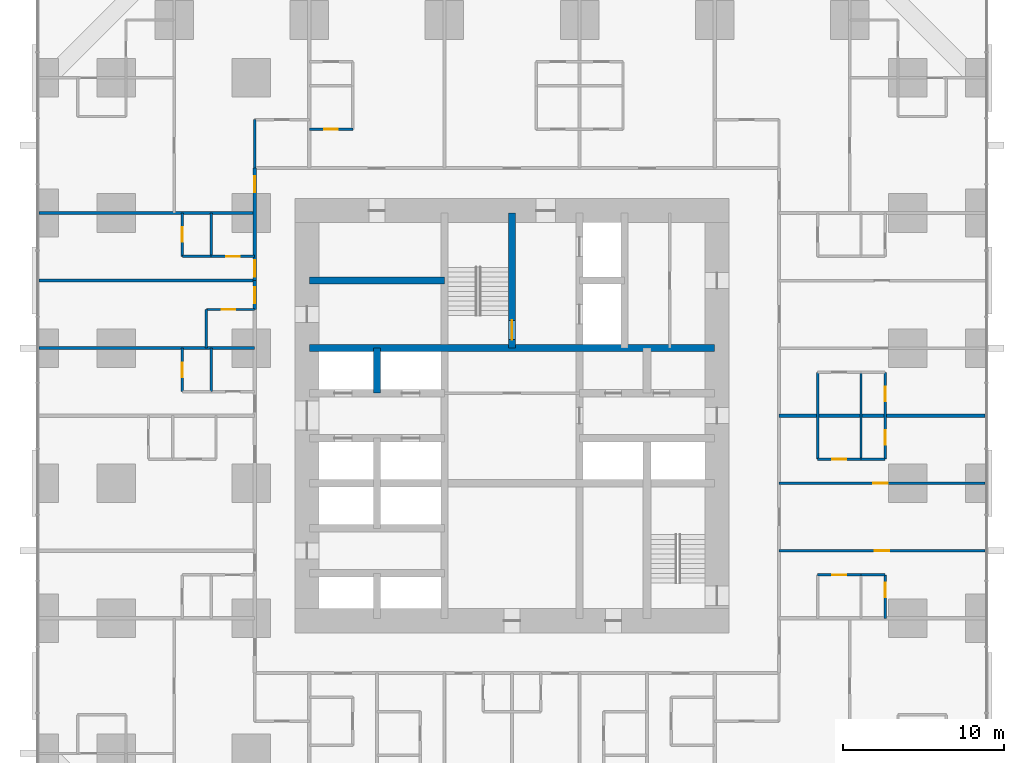
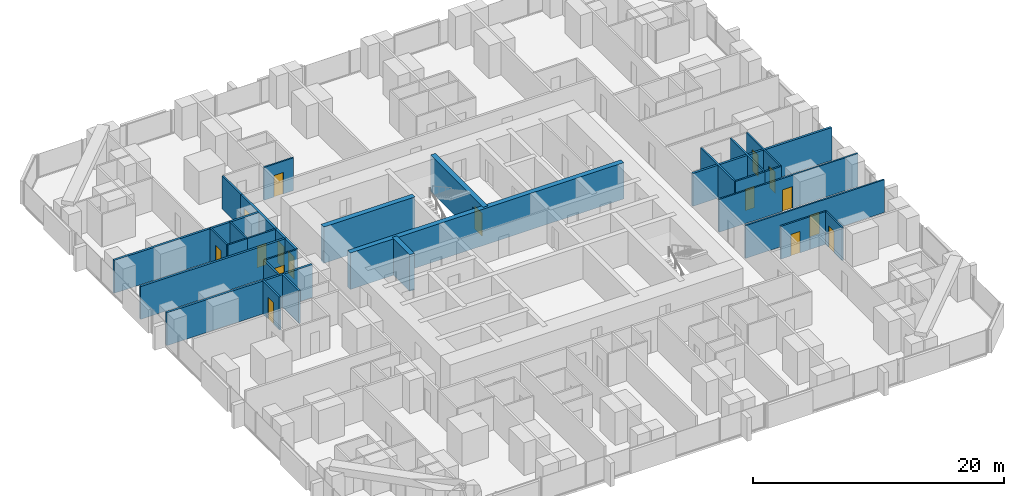
# One storey, part 13 of 16: 30 walls, 16 doors, 16 openings.
"""IFC4 building model written with IfcOpenShell, lengths in metres."""

from ifc_helpers import new_model, si_unit, direction, frame, frame_2d, origin, place, context, subcontext, project, spatial, rectangle, extrude, material, layer, layer_set, type_object, element, fill, save


model = new_model("IFC4")

# Units and contexts
model_context = context("Model", 3, precision=1e-05, world=origin(), true_north=direction((0.0, 1.0)))
body_context = subcontext(model_context, "Body", "Model", "MODEL_VIEW")
ifc_project = project(units=[si_unit("LENGTHUNIT", "METRE"), si_unit("AREAUNIT", "SQUARE_METRE"), si_unit("VOLUMEUNIT", "CUBIC_METRE"), si_unit("PLANEANGLEUNIT", "RADIAN"), si_unit("MASSUNIT", "GRAM", prefix="KILO")], contexts=[model_context])

# Site, building, storey
site_placement = place(None, origin())
site = spatial("IfcSite", under=ifc_project, at=site_placement, CompositionType="ELEMENT")
building_placement = place(site_placement, origin())
building = spatial("IfcBuilding", under=site, at=building_placement, Name="Dunama Terrace Hotel", CompositionType="ELEMENT")
storey_placement = place(building_placement, frame((0.0, 0.0, 84.60009765625)))
storey = spatial("IfcBuildingStorey", under=building, at=storey_placement, Name="L21", CompositionType="ELEMENT", Elevation=84.60009765625)

# Walls
ifc_material_1 = material(Name="Gypsum board partition", Category="masonry")
ifc_layer_1 = layer(ifc_material_1, 0.14990234375)
ifc_layer_set_1 = layer_set([ifc_layer_1], Name="Bathroom partition 150")
wall_type_1 = type_object("IfcWallType", Name="Bathroom partition 150", PredefinedType="PARTITIONING", material=ifc_layer_set_1)
wall_1_placement = place(storey_placement, frame((10.39990234375, 33.60009765625, 0.0), z_axis=(0.0, 0.0, 1.0), x_axis=(0.0, 1.0, 0.0)))
element("IfcWall", 1, at=wall_1_placement, inside=storey, type_object=wall_type_1, Name="Bathroom partition 150 L21", PredefinedType="PARTITIONING", context=body_context, shape_type="SweptSolid", body=[
    extrude(rectangle(XDim=2.39990234375, YDim=0.14990234375, at=frame_2d((1.199951171875, 0.0))), origin(), (0.0, 0.0, 1.0), 3.199951171875),
])
wall_2_placement = place(storey_placement, frame((13.39990234375, 44.800048828125, 0.0), z_axis=(0.0, 0.0, 1.0), x_axis=(0.0, 1.0, 0.0)))
element("IfcWall", 2, at=wall_2_placement, inside=storey, type_object=wall_type_1, Name="Bathroom partition 150 L21", PredefinedType="PARTITIONING", context=body_context, shape_type="SweptSolid", body=[
    extrude(rectangle(XDim=3.0, YDim=0.14990234375, at=frame_2d((1.5, 0.0))), origin(), (0.0, 0.0, 1.0), 3.199951171875),
])
wall_3_placement = place(storey_placement, frame((48.39990234375, 26.699951171875, 0.0), z_axis=(0.0, 0.0, 1.0), x_axis=(0.0, 1.0, 0.0)))
element("IfcWall", 3, at=wall_3_placement, inside=storey, type_object=wall_type_1, Name="Bathroom partition 150 L21", PredefinedType="PARTITIONING", context=body_context, shape_type="SweptSolid", body=[
    extrude(rectangle(XDim=5.400146484375, YDim=0.14990234375, at=frame_2d((2.7001953125, 0.0))), origin(), (0.0, 0.0, 1.0), 3.199951171875),
])

# Wall, opening, door
wall_4_placement = place(storey_placement, frame((48.39990234375, 19.5, 0.0), z_axis=(0.0, 0.0, 1.0), x_axis=(1.0, 0.0, 0.0)))
wall_4 = element("IfcWall", 4, at=wall_4_placement, inside=storey, type_object=wall_type_1, Name="Bathroom partition 150 L21", PredefinedType="PARTITIONING", context=body_context, shape_type="SweptSolid", body=[
    extrude(rectangle(XDim=2.7001953125, YDim=0.14990234375, at=frame_2d((1.35009765625, 0.0))), origin(), (0.0, 0.0, 1.0), 3.199951171875),
])
opening_1_placement = place(wall_4_placement, frame((0.925048828125, 0.0, 0.0)))
opening_1 = element("IfcOpeningElement", 5, at=opening_1_placement, cuts=wall_4, Name="Opening L21-025", PredefinedType="OPENING", context=body_context, shape_type="SweptSolid", body=[
    extrude(rectangle(XDim=0.85009765625, YDim=2.10009765625, at=frame_2d((0.425048828125, 1.050048828125))), frame((0.0, 0.0849609375, 0.0), z_axis=(0.0, -1.0, 0.0), x_axis=(1.0, 0.0, 0.0)), (0.0, 0.0, 1.0), 0.169921875),
])
ifc_material_2 = material(Name="Timber door with steel frame", Category="steel")
door_type_1 = type_object("IfcDoorType", Name="Bathroom door 850", OperationType="SINGLE_SWING_LEFT", PredefinedType="DOOR", material=ifc_material_2)
door_1_placement = place(opening_1_placement, frame((0.85009765625, 0.0, 0.0), z_axis=(0.0, 0.0, 1.0), x_axis=(-1.0, 0.0, 0.0)))
door_1 = element("IfcDoor", 6, at=door_1_placement, inside=storey, type_object=door_type_1, Name="Door to en-suite bathroom L21-025, type D2", OperationType="SINGLE_SWING_RIGHT", OverallHeight=2.10009765625, OverallWidth=0.85009765625, PredefinedType="DOOR", context=body_context, shape_type="SweptSolid", body=[
    extrude(rectangle(XDim=0.85009765625, YDim=2.10009765625, at=frame_2d((0.425048828125, 1.050048828125))), frame((0.0, 0.025146484375, 0.0), z_axis=(0.0, -1.0, 0.0), x_axis=(1.0, 0.0, 0.0)), (0.0, 0.0, 1.0), 0.050048828125),
])
fill(opening_1, door_1)

wall_5_placement = place(storey_placement, frame((48.39990234375, 26.699951171875, 0.0), z_axis=(0.0, 0.0, 1.0), x_axis=(1.0, 0.0, 0.0)))
wall_5 = element("IfcWall", 7, at=wall_5_placement, inside=storey, type_object=wall_type_1, Name="Bathroom partition 150 L21", PredefinedType="PARTITIONING", context=body_context, shape_type="SweptSolid", body=[
    extrude(rectangle(XDim=2.7001953125, YDim=0.14990234375, at=frame_2d((1.35009765625, 0.0))), origin(), (0.0, 0.0, 1.0), 3.199951171875),
])
opening_2_placement = place(wall_5_placement, frame((0.925048828125, 0.0, 0.0)))
opening_2 = element("IfcOpeningElement", 8, at=opening_2_placement, cuts=wall_5, Name="Opening L21-028", PredefinedType="OPENING", context=body_context, shape_type="SweptSolid", body=[
    extrude(rectangle(XDim=0.85009765625, YDim=2.10009765625, at=frame_2d((0.425048828125, 1.050048828125))), frame((0.0, 0.0849609375, 0.0), z_axis=(0.0, -1.0, 0.0), x_axis=(1.0, 0.0, 0.0)), (0.0, 0.0, 1.0), 0.169921875),
])
door_2_placement = place(opening_2_placement, origin())
door_2 = element("IfcDoor", 9, at=door_2_placement, inside=storey, type_object=door_type_1, Name="Door to en-suite bathroom L21-028, type D2", OperationType="SINGLE_SWING_LEFT", OverallHeight=2.10009765625, OverallWidth=0.85009765625, PredefinedType="DOOR", context=body_context, shape_type="SweptSolid", body=[
    extrude(rectangle(XDim=0.85009765625, YDim=2.10009765625, at=frame_2d((0.425048828125, 1.050048828125))), frame((0.0, 0.02490234375, 0.0), z_axis=(0.0, -1.0, 0.0), x_axis=(1.0, 0.0, 0.0)), (0.0, 0.0, 1.0), 0.050048828125),
])
fill(opening_2, door_2)

wall_6_placement = place(storey_placement, frame((10.39990234375, 36.0, 0.0), z_axis=(0.0, 0.0, 1.0), x_axis=(1.0, 0.0, 0.0)))
wall_6 = element("IfcWall", 10, at=wall_6_placement, inside=storey, type_object=wall_type_1, Name="Bathroom partition 150 L21", PredefinedType="PARTITIONING", context=body_context, shape_type="SweptSolid", body=[
    extrude(rectangle(XDim=3.0, YDim=0.14990234375, at=frame_2d((1.5, 0.0))), origin(), (0.0, 0.0, 1.0), 3.199951171875),
])
opening_3_placement = place(wall_6_placement, frame((0.949951171875, 0.0, 0.0)))
opening_3 = element("IfcOpeningElement", 11, at=opening_3_placement, cuts=wall_6, Name="Opening L21-056", PredefinedType="OPENING", context=body_context, shape_type="SweptSolid", body=[
    extrude(rectangle(XDim=0.85009765625, YDim=2.10009765625, at=frame_2d((0.425048828125, 1.050048828125))), frame((0.0, 0.0849609375, 0.0), z_axis=(0.0, -1.0, 0.0), x_axis=(1.0, 0.0, 0.0)), (0.0, 0.0, 1.0), 0.169921875),
])
door_3_placement = place(opening_3_placement, frame((0.85009765625, 0.0, 0.0), z_axis=(0.0, 0.0, 1.0), x_axis=(-1.0, 0.0, 0.0)))
door_3 = element("IfcDoor", 12, at=door_3_placement, inside=storey, type_object=door_type_1, Name="Door to ablution room L21-056, type D2", OperationType="SINGLE_SWING_LEFT", OverallHeight=2.10009765625, OverallWidth=0.85009765625, PredefinedType="DOOR", context=body_context, shape_type="SweptSolid", body=[
    extrude(rectangle(XDim=0.85009765625, YDim=2.10009765625, at=frame_2d((0.425048828125, 1.050048828125))), frame((0.0, 0.025146484375, 0.0), z_axis=(0.0, -1.0, 0.0), x_axis=(1.0, 0.0, 0.0)), (0.0, 0.0, 1.0), 0.050048828125),
])
fill(opening_3, door_3)

wall_7_placement = place(storey_placement, frame((10.699951171875, 39.300048828125, 0.0), z_axis=(0.0, 0.0, 1.0), x_axis=(1.0, 0.0, 0.0)))
wall_7 = element("IfcWall", 13, at=wall_7_placement, inside=storey, type_object=wall_type_1, Name="Bathroom partition 150 L21", PredefinedType="PARTITIONING", context=body_context, shape_type="SweptSolid", body=[
    extrude(rectangle(XDim=2.699951171875, YDim=0.14990234375, at=frame_2d((1.35009765625, 0.0))), origin(), (0.0, 0.0, 1.0), 3.199951171875),
])
opening_4_placement = place(wall_7_placement, frame((0.925048828125, 0.0, 0.0)))
opening_4 = element("IfcOpeningElement", 14, at=opening_4_placement, cuts=wall_7, Name="Opening L21-058", PredefinedType="OPENING", context=body_context, shape_type="SweptSolid", body=[
    extrude(rectangle(XDim=0.85009765625, YDim=2.10009765625, at=frame_2d((0.425048828125, 1.050048828125))), frame((0.0, 0.0849609375, 0.0), z_axis=(0.0, -1.0, 0.0), x_axis=(1.0, 0.0, 0.0)), (0.0, 0.0, 1.0), 0.169921875),
])
door_4_placement = place(opening_4_placement, origin())
door_4 = element("IfcDoor", 15, at=door_4_placement, inside=storey, type_object=door_type_1, Name="Door to en-suite bathroom L21-058, type D2", OperationType="SINGLE_SWING_RIGHT", OverallHeight=2.10009765625, OverallWidth=0.85009765625, PredefinedType="DOOR", context=body_context, shape_type="SweptSolid", body=[
    extrude(rectangle(XDim=0.85009765625, YDim=2.10009765625, at=frame_2d((0.425048828125, 1.050048828125))), frame((0.0, 0.02490234375, 0.0), z_axis=(0.0, -1.0, 0.0), x_axis=(1.0, 0.0, 0.0)), (0.0, 0.0, 1.0), 0.050048828125),
])
fill(opening_4, door_4)

wall_8_placement = place(storey_placement, frame((16.800048828125, 47.199951171875, 0.0), z_axis=(0.0, 0.0, 1.0), x_axis=(1.0, 0.0, 0.0)))
wall_8 = element("IfcWall", 16, at=wall_8_placement, inside=storey, type_object=wall_type_1, Name="Bathroom partition 150 L21", PredefinedType="PARTITIONING", context=body_context, shape_type="SweptSolid", body=[
    extrude(rectangle(XDim=2.699951171875, YDim=0.14990234375, at=frame_2d((1.35009765625, 0.0))), origin(), (0.0, 0.0, 1.0), 3.199951171875),
])
opening_5_placement = place(wall_8_placement, frame((0.925048828125, 0.0, 0.0)))
opening_5 = element("IfcOpeningElement", 17, at=opening_5_placement, cuts=wall_8, Name="Opening L21-038", PredefinedType="OPENING", context=body_context, shape_type="SweptSolid", body=[
    extrude(rectangle(XDim=0.85009765625, YDim=2.10009765625, at=frame_2d((0.425048828125, 1.050048828125))), frame((0.0, 0.0849609375, 0.0), z_axis=(0.0, -1.0, 0.0), x_axis=(1.0, 0.0, 0.0)), (0.0, 0.0, 1.0), 0.169921875),
])
door_5_placement = place(opening_5_placement, origin())
door_5 = element("IfcDoor", 18, at=door_5_placement, inside=storey, type_object=door_type_1, Name="Door to en-suite bathroom L21-038, type D2", OperationType="SINGLE_SWING_LEFT", OverallHeight=2.10009765625, OverallWidth=0.85009765625, PredefinedType="DOOR", context=body_context, shape_type="SweptSolid", body=[
    extrude(rectangle(XDim=0.85009765625, YDim=2.10009765625, at=frame_2d((0.425048828125, 1.050048828125))), frame((0.0, 0.02490234375, 0.0), z_axis=(0.0, -1.0, 0.0), x_axis=(1.0, 0.0, 0.0)), (0.0, 0.0, 1.0), 0.050048828125),
])
fill(opening_5, door_5)

# Wall
ifc_material_3 = material(Name="Concrete C50/60", Category="concrete")
ifc_layer_2 = layer(ifc_material_3, 0.449951171875)
ifc_layer_set_2 = layer_set([ifc_layer_2], Name="Core inner wall 450")
wall_type_2 = type_object("IfcWallType", Name="Core inner wall 450", PredefinedType="SHEAR", material=ifc_layer_set_2)
wall_9_placement = place(storey_placement, frame((21.0, 30.800048828125, -0.35009765625), z_axis=(0.0, 0.0, 1.0), x_axis=(0.0, 1.0, 0.0)))
element("IfcWall", 19, at=wall_9_placement, inside=storey, type_object=wall_type_2, Name="Core inner wall 450 L21", PredefinedType="SHEAR", context=body_context, shape_type="SweptSolid", body=[
    extrude(rectangle(XDim=2.800048828125, YDim=0.449951171875, at=frame_2d((1.39990234375, 0.0))), origin(), (0.0, 0.0, 1.0), 3.550048828125),
])

# Wall, opening, door
wall_10_placement = place(storey_placement, frame((29.39990234375, 33.60009765625, -0.35009765625), z_axis=(0.0, 0.0, 1.0), x_axis=(0.0, 1.0, 0.0)))
wall_10 = element("IfcWall", 20, at=wall_10_placement, inside=storey, type_object=wall_type_2, Name="Core inner wall 450 L21", PredefinedType="SHEAR", context=body_context, shape_type="SweptSolid", body=[
    extrude(rectangle(XDim=8.39990234375, YDim=0.449951171875, at=frame_2d((4.199951171875, 0.0))), origin(), (0.0, 0.0, 1.0), 3.550048828125),
])
opening_6_placement = place(wall_10_placement, frame((0.52490234375, 0.0, 0.35009765625)))
opening_6 = element("IfcOpeningElement", 21, at=opening_6_placement, cuts=wall_10, Name="Opening L21-001", PredefinedType="OPENING", context=body_context, shape_type="SweptSolid", body=[
    extrude(rectangle(XDim=1.199951171875, YDim=2.199951171875, at=frame_2d((0.60009765625, 1.10009765625))), frame((0.0, 0.23486328125, 0.0), z_axis=(0.0, -1.0, 0.0), x_axis=(1.0, 0.0, 0.0)), (0.0, 0.0, 1.0), 0.469970703125),
])
ifc_material_4 = material(Name="Timber door with steel frame", Category="steel")
door_type_2 = type_object("IfcDoorType", Name="Stair door 1200", OperationType="SINGLE_SWING_LEFT", PredefinedType="DOOR", material=ifc_material_4)
door_6_placement = place(opening_6_placement, origin())
door_6 = element("IfcDoor", 22, at=door_6_placement, inside=storey, type_object=door_type_2, Name="Stair door ST1 L21-001, type D5", OperationType="SINGLE_SWING_LEFT", OverallHeight=2.199951171875, OverallWidth=1.199951171875, PredefinedType="DOOR", context=body_context, shape_type="SweptSolid", body=[
    extrude(rectangle(XDim=1.199951171875, YDim=2.199951171875, at=frame_2d((0.60009765625, 1.10009765625))), frame((0.0, 0.02490234375, 0.0), z_axis=(0.0, -1.0, 0.0), x_axis=(1.0, 0.0, 0.0)), (0.0, 0.0, 1.0), 0.050048828125),
])
fill(opening_6, door_6)

# Walls
wall_11_placement = place(storey_placement, frame((16.800048828125, 33.60009765625, -0.35009765625), z_axis=(0.0, 0.0, 1.0), x_axis=(1.0, 0.0, 0.0)))
element("IfcWall", 23, at=wall_11_placement, inside=storey, type_object=wall_type_2, Name="Core inner wall 450 L21", PredefinedType="SHEAR", context=body_context, shape_type="SweptSolid", body=[
    extrude(rectangle(XDim=25.199951171875, YDim=0.449951171875, at=frame_2d((12.60009765625, 0.0))), origin(), (0.0, 0.0, 1.0), 3.550048828125),
])
wall_12_placement = place(storey_placement, frame((16.800048828125, 37.800048828125, -0.35009765625), z_axis=(0.0, 0.0, 1.0), x_axis=(1.0, 0.0, 0.0)))
element("IfcWall", 24, at=wall_12_placement, inside=storey, type_object=wall_type_2, Name="Core inner wall 450 L21", PredefinedType="SHEAR", context=body_context, shape_type="SweptSolid", body=[
    extrude(rectangle(XDim=8.39990234375, YDim=0.449951171875, at=frame_2d((4.199951171875, 0.0))), origin(), (0.0, 0.0, 1.0), 3.550048828125),
])

# Wall, openings, doors
ifc_material_5 = material(Name="Concrete blockwork", Category="masonry")
ifc_layer_3 = layer(ifc_material_5, 0.199951171875)
ifc_layer_set_3 = layer_set([ifc_layer_3], Name="Corridor partition 200")
wall_type_3 = type_object("IfcWallType", Name="Corridor partition 200", PredefinedType="PARTITIONING", material=ifc_layer_set_3)
wall_13_placement = place(storey_placement, frame((13.39990234375, 37.800048828125, 0.0), z_axis=(0.0, 0.0, 1.0), x_axis=(0.0, 1.0, 0.0)))
wall_13 = element("IfcWall", 25, at=wall_13_placement, inside=storey, type_object=wall_type_3, Name="Corridor partition 200 L21", PredefinedType="PARTITIONING", context=body_context, shape_type="SweptSolid", body=[
    extrude(rectangle(XDim=7.0, YDim=0.199951171875, at=frame_2d((3.5, 0.0))), origin(), (0.0, 0.0, 1.0), 3.199951171875),
])
opening_7_placement = place(wall_13_placement, frame((0.25, 0.0, 0.0)))
opening_7 = element("IfcOpeningElement", 26, at=opening_7_placement, cuts=wall_13, Name="Opening L21-057", PredefinedType="OPENING", context=body_context, shape_type="SweptSolid", body=[
    extrude(rectangle(XDim=1.0, YDim=2.199951171875, at=frame_2d((0.5, 1.10009765625))), frame((0.0, 0.10986328125, 0.0), z_axis=(0.0, -1.0, 0.0), x_axis=(1.0, 0.0, 0.0)), (0.0, 0.0, 1.0), 0.219970703125),
])
opening_8_placement = place(wall_13_placement, frame((5.5, 0.0, 0.0)))
opening_8 = element("IfcOpeningElement", 27, at=opening_8_placement, cuts=wall_13, Name="Opening L21-078", PredefinedType="OPENING", context=body_context, shape_type="SweptSolid", body=[
    extrude(rectangle(XDim=1.0, YDim=2.199951171875, at=frame_2d((0.5, 1.10009765625))), frame((0.0, 0.10986328125, 0.0), z_axis=(0.0, -1.0, 0.0), x_axis=(1.0, 0.0, 0.0)), (0.0, 0.0, 1.0), 0.219970703125),
])
ifc_material_6 = material(Name="Timber door with steel frame", Category="steel")
door_type_3 = type_object("IfcDoorType", Name="Guest room door 1000", OperationType="SINGLE_SWING_LEFT", PredefinedType="DOOR", material=ifc_material_6)
door_7_placement = place(opening_7_placement, origin())
door_7 = element("IfcDoor", 28, at=door_7_placement, inside=storey, type_object=door_type_3, Name="Door to deluxe room L21-057, type D1", OperationType="SINGLE_SWING_LEFT", OverallHeight=2.199951171875, OverallWidth=1.0, PredefinedType="DOOR", context=body_context, shape_type="SweptSolid", body=[
    extrude(rectangle(XDim=1.0, YDim=2.199951171875, at=frame_2d((0.5, 1.10009765625))), frame((0.0, 0.02490234375, 0.0), z_axis=(0.0, -1.0, 0.0), x_axis=(1.0, 0.0, 0.0)), (0.0, 0.0, 1.0), 0.050048828125),
])
fill(opening_7, door_7)
door_8_placement = place(opening_8_placement, origin())
door_8 = element("IfcDoor", 29, at=door_8_placement, inside=storey, type_object=door_type_3, Name="Door to corner suite living room L21-078, type D1", OperationType="SINGLE_SWING_LEFT", OverallHeight=2.199951171875, OverallWidth=1.0, PredefinedType="DOOR", context=body_context, shape_type="SweptSolid", body=[
    extrude(rectangle(XDim=1.0, YDim=2.199951171875, at=frame_2d((0.5, 1.10009765625))), frame((0.0, 0.02490234375, 0.0), z_axis=(0.0, -1.0, 0.0), x_axis=(1.0, 0.0, 0.0)), (0.0, 0.0, 1.0), 0.050048828125),
])
fill(opening_8, door_8)

# Wall, opening, door
wall_14_placement = place(storey_placement, frame((13.39990234375, 37.800048828125, 0.0), z_axis=(0.0, 0.0, 1.0), x_axis=(0.0, -1.0, 0.0)))
wall_14 = element("IfcWall", 30, at=wall_14_placement, inside=storey, type_object=wall_type_3, Name="Corridor partition 200 L21", PredefinedType="PARTITIONING", context=body_context, shape_type="SweptSolid", body=[
    extrude(rectangle(XDim=1.800048828125, YDim=0.199951171875, at=frame_2d((0.89990234375, 0.0))), origin(), (0.0, 0.0, 1.0), 3.199951171875),
])
opening_9_placement = place(wall_14_placement, frame((0.39990234375, 0.0, 0.0)))
opening_9 = element("IfcOpeningElement", 31, at=opening_9_placement, cuts=wall_14, Name="Opening L21-055", PredefinedType="OPENING", context=body_context, shape_type="SweptSolid", body=[
    extrude(rectangle(XDim=1.0, YDim=2.199951171875, at=frame_2d((0.5, 1.10009765625))), frame((0.0, 0.10986328125, 0.0), z_axis=(0.0, -1.0, 0.0), x_axis=(1.0, 0.0, 0.0)), (0.0, 0.0, 1.0), 0.219970703125),
])
door_9_placement = place(opening_9_placement, origin())
door_9 = element("IfcDoor", 32, at=door_9_placement, inside=storey, type_object=door_type_3, Name="Door to prayer room L21-055, type D1", OperationType="SINGLE_SWING_LEFT", OverallHeight=2.199951171875, OverallWidth=1.0, PredefinedType="DOOR", context=body_context, shape_type="SweptSolid", body=[
    extrude(rectangle(XDim=1.0, YDim=2.199951171875, at=frame_2d((0.5, 1.10009765625))), frame((0.0, 0.02490234375, 0.0), z_axis=(0.0, -1.0, 0.0), x_axis=(1.0, 0.0, 0.0)), (0.0, 0.0, 1.0), 0.050048828125),
])
fill(opening_9, door_9)

# Walls
ifc_material_7 = material(Name="Concrete blockwork", Category="masonry")
ifc_layer_4 = layer(ifc_material_7, 0.199951171875)
ifc_layer_set_4 = layer_set([ifc_layer_4], Name="Party wall 200")
wall_type_4 = type_object("IfcWallType", Name="Party wall 200", PredefinedType="PARTITIONING", material=ifc_layer_set_4)
wall_15_placement = place(storey_placement, frame((46.0, 29.39990234375, 0.0), z_axis=(0.0, 0.0, 1.0), x_axis=(1.0, 0.0, 0.0)))
element("IfcWall", 33, at=wall_15_placement, inside=storey, type_object=wall_type_4, Name="Party wall 200 L21", PredefinedType="PARTITIONING", context=body_context, shape_type="SweptSolid", body=[
    extrude(rectangle(XDim=12.80810546875, YDim=0.199951171875, at=frame_2d((6.404052734375, 0.0))), origin(), (0.0, 0.0, 1.0), 3.199951171875),
])
for number, where, z_axis, x_axis, name in (
    (34, (-0.008056640625, 33.60009765625, 0.0), (0.0, 0.0, 1.0), (1.0, 0.0, 0.0), "Party wall 200 L21"),
    (35, (-0.008056640625, 37.800048828125, 0.0), (0.0, 0.0, 1.0), (1.0, 0.0, 0.0), "Party wall 200 L21"),
    (36, (-0.008056640625, 42.0, 0.0), (0.0, 0.0, 1.0), (1.0, 0.0, 0.0), "Party wall 200 L21"),
):
    element("IfcWall", number, at=place(storey_placement, frame(where, z_axis=z_axis, x_axis=x_axis)), inside=storey, type_object=wall_type_4, Name=name, PredefinedType="PARTITIONING", context=body_context, shape_type="SweptSolid", body=[
        extrude(rectangle(XDim=13.407958984375, YDim=0.199951171875, at=frame_2d((6.7041015625, 0.0))), origin(), (0.0, 0.0, 1.0), 3.199951171875),
    ])

# Wall, opening, door
ifc_material_8 = material(Name="Gypsum board partition", Category="masonry")
ifc_layer_5 = layer(ifc_material_8, 0.14990234375)
ifc_layer_set_5 = layer_set([ifc_layer_5], Name="Room partition 150")
wall_type_5 = type_object("IfcWallType", Name="Room partition 150", PredefinedType="PARTITIONING", material=ifc_layer_set_5)
wall_16_placement = place(storey_placement, frame((8.89990234375, 30.89990234375, 0.0), z_axis=(0.0, 0.0, 1.0), x_axis=(0.0, 1.0, 0.0)))
wall_16 = element("IfcWall", 37, at=wall_16_placement, inside=storey, type_object=wall_type_5, Name="Room partition 150 L21", PredefinedType="PARTITIONING", context=body_context, shape_type="SweptSolid", body=[
    extrude(rectangle(XDim=2.7001953125, YDim=0.14990234375, at=frame_2d((1.35009765625, 0.0))), origin(), (0.0, 0.0, 1.0), 3.199951171875),
])
opening_10_placement = place(wall_16_placement, frame((0.89990234375, 0.0, 0.0)))
opening_10 = element("IfcOpeningElement", 38, at=opening_10_placement, cuts=wall_16, Name="Opening L21-054", PredefinedType="OPENING", context=body_context, shape_type="SweptSolid", body=[
    extrude(rectangle(XDim=0.89990234375, YDim=2.10009765625, at=frame_2d((0.449951171875, 1.050048828125))), frame((0.0, 0.0849609375, 0.0), z_axis=(0.0, -1.0, 0.0), x_axis=(1.0, 0.0, 0.0)), (0.0, 0.0, 1.0), 0.169921875),
])
ifc_material_9 = material(Name="Timber door with steel frame", Category="steel")
door_type_4 = type_object("IfcDoorType", Name="Suite internal door 900", OperationType="SINGLE_SWING_LEFT", PredefinedType="DOOR", material=ifc_material_9)
door_10_placement = place(opening_10_placement, frame((0.89990234375, 0.0, 0.0), z_axis=(0.0, 0.0, 1.0), x_axis=(-1.0, 0.0, 0.0)))
door_10 = element("IfcDoor", 39, at=door_10_placement, inside=storey, type_object=door_type_4, Name="Door to walk-in wardrobe L21-054, type D16", OperationType="SINGLE_SWING_LEFT", OverallHeight=2.10009765625, OverallWidth=0.89990234375, PredefinedType="DOOR", context=body_context, shape_type="SweptSolid", body=[
    extrude(rectangle(XDim=0.89990234375, YDim=2.10009765625, at=frame_2d((0.449951171875, 1.050048828125))), frame((0.0, 0.025146484375, 0.0), z_axis=(0.0, -1.0, 0.0), x_axis=(1.0, 0.0, 0.0)), (0.0, 0.0, 1.0), 0.050048828125),
])
fill(opening_10, door_10)

wall_17_placement = place(storey_placement, frame((8.89990234375, 39.300048828125, 0.0), z_axis=(0.0, 0.0, 1.0), x_axis=(0.0, 1.0, 0.0)))
wall_17 = element("IfcWall", 40, at=wall_17_placement, inside=storey, type_object=wall_type_5, Name="Room partition 150 L21", PredefinedType="PARTITIONING", context=body_context, shape_type="SweptSolid", body=[
    extrude(rectangle(XDim=2.699951171875, YDim=0.14990234375, at=frame_2d((1.35009765625, 0.0))), origin(), (0.0, 0.0, 1.0), 3.199951171875),
])
opening_11_placement = place(wall_17_placement, frame((0.89990234375, 0.0, 0.0)))
opening_11 = element("IfcOpeningElement", 41, at=opening_11_placement, cuts=wall_17, Name="Opening L21-059", PredefinedType="OPENING", context=body_context, shape_type="SweptSolid", body=[
    extrude(rectangle(XDim=0.89990234375, YDim=2.10009765625, at=frame_2d((0.449951171875, 1.050048828125))), frame((0.0, 0.0849609375, 0.0), z_axis=(0.0, -1.0, 0.0), x_axis=(1.0, 0.0, 0.0)), (0.0, 0.0, 1.0), 0.169921875),
])
door_11_placement = place(opening_11_placement, frame((0.89990234375, 0.0, 0.0), z_axis=(0.0, 0.0, 1.0), x_axis=(-1.0, 0.0, 0.0)))
door_11 = element("IfcDoor", 42, at=door_11_placement, inside=storey, type_object=door_type_4, Name="Door to walk-in wardrobe L21-059, type D16", OperationType="SINGLE_SWING_LEFT", OverallHeight=2.10009765625, OverallWidth=0.89990234375, PredefinedType="DOOR", context=body_context, shape_type="SweptSolid", body=[
    extrude(rectangle(XDim=0.89990234375, YDim=2.10009765625, at=frame_2d((0.449951171875, 1.050048828125))), frame((0.0, 0.025146484375, 0.0), z_axis=(0.0, -1.0, 0.0), x_axis=(1.0, 0.0, 0.0)), (0.0, 0.0, 1.0), 0.050048828125),
])
fill(opening_11, door_11)

# Walls
wall_18_placement = place(storey_placement, frame((10.699951171875, 30.89990234375, 0.0), z_axis=(0.0, 0.0, 1.0), x_axis=(0.0, 1.0, 0.0)))
element("IfcWall", 43, at=wall_18_placement, inside=storey, type_object=wall_type_5, Name="Room partition 150 L21", PredefinedType="PARTITIONING", context=body_context, shape_type="SweptSolid", body=[
    extrude(rectangle(XDim=2.7001953125, YDim=0.14990234375, at=frame_2d((1.35009765625, 0.0))), origin(), (0.0, 0.0, 1.0), 3.199951171875),
])
wall_19_placement = place(storey_placement, frame((10.699951171875, 39.300048828125, 0.0), z_axis=(0.0, 0.0, 1.0), x_axis=(0.0, 1.0, 0.0)))
element("IfcWall", 44, at=wall_19_placement, inside=storey, type_object=wall_type_5, Name="Room partition 150 L21", PredefinedType="PARTITIONING", context=body_context, shape_type="SweptSolid", body=[
    extrude(rectangle(XDim=2.699951171875, YDim=0.14990234375, at=frame_2d((1.35009765625, 0.0))), origin(), (0.0, 0.0, 1.0), 3.199951171875),
])
wall_20_placement = place(storey_placement, frame((51.10009765625, 26.699951171875, 0.0), z_axis=(0.0, 0.0, 1.0), x_axis=(0.0, 1.0, 0.0)))
element("IfcWall", 45, at=wall_20_placement, inside=storey, type_object=wall_type_5, Name="Room partition 150 L21", PredefinedType="PARTITIONING", context=body_context, shape_type="SweptSolid", body=[
    extrude(rectangle(XDim=5.400146484375, YDim=0.14990234375, at=frame_2d((2.7001953125, 0.0))), origin(), (0.0, 0.0, 1.0), 3.199951171875),
])

# Wall, opening, door
wall_21_placement = place(storey_placement, frame((52.60009765625, 16.800048828125, 0.0), z_axis=(0.0, 0.0, 1.0), x_axis=(0.0, 1.0, 0.0)))
wall_21 = element("IfcWall", 46, at=wall_21_placement, inside=storey, type_object=wall_type_5, Name="Room partition 150 L21", PredefinedType="PARTITIONING", context=body_context, shape_type="SweptSolid", body=[
    extrude(rectangle(XDim=2.699951171875, YDim=0.14990234375, at=frame_2d((1.35009765625, 0.0))), origin(), (0.0, 0.0, 1.0), 3.199951171875),
])
opening_12_placement = place(wall_21_placement, frame((1.300048828125, 0.0, 0.0)))
opening_12 = element("IfcOpeningElement", 47, at=opening_12_placement, cuts=wall_21, Name="Opening L21-026", PredefinedType="OPENING", context=body_context, shape_type="SweptSolid", body=[
    extrude(rectangle(XDim=0.89990234375, YDim=2.10009765625, at=frame_2d((0.449951171875, 1.050048828125))), frame((0.0, 0.0849609375, 0.0), z_axis=(0.0, -1.0, 0.0), x_axis=(1.0, 0.0, 0.0)), (0.0, 0.0, 1.0), 0.169921875),
])
door_12_placement = place(opening_12_placement, origin())
door_12 = element("IfcDoor", 48, at=door_12_placement, inside=storey, type_object=door_type_4, Name="Door to walk-in wardrobe L21-026, type D16", OperationType="SINGLE_SWING_LEFT", OverallHeight=2.10009765625, OverallWidth=0.89990234375, PredefinedType="DOOR", context=body_context, shape_type="SweptSolid", body=[
    extrude(rectangle(XDim=0.89990234375, YDim=2.10009765625, at=frame_2d((0.449951171875, 1.050048828125))), frame((0.0, 0.02490234375, 0.0), z_axis=(0.0, -1.0, 0.0), x_axis=(1.0, 0.0, 0.0)), (0.0, 0.0, 1.0), 0.050048828125),
])
fill(opening_12, door_12)

# Wall, openings, doors
wall_22_placement = place(storey_placement, frame((52.60009765625, 26.699951171875, 0.0), z_axis=(0.0, 0.0, 1.0), x_axis=(0.0, 1.0, 0.0)))
wall_22 = element("IfcWall", 49, at=wall_22_placement, inside=storey, type_object=wall_type_5, Name="Room partition 150 L21", PredefinedType="PARTITIONING", context=body_context, shape_type="SweptSolid", body=[
    extrude(rectangle(XDim=5.400146484375, YDim=0.14990234375, at=frame_2d((2.7001953125, 0.0))), origin(), (0.0, 0.0, 1.0), 3.199951171875),
])
opening_13_placement = place(wall_22_placement, frame((0.89990234375, 0.0, 0.0)))
opening_13 = element("IfcOpeningElement", 50, at=opening_13_placement, cuts=wall_22, Name="Opening L21-029", PredefinedType="OPENING", context=body_context, shape_type="SweptSolid", body=[
    extrude(rectangle(XDim=0.89990234375, YDim=2.10009765625, at=frame_2d((0.449951171875, 1.050048828125))), frame((0.0, 0.0849609375, 0.0), z_axis=(0.0, -1.0, 0.0), x_axis=(1.0, 0.0, 0.0)), (0.0, 0.0, 1.0), 0.169921875),
])
opening_14_placement = place(wall_22_placement, frame((3.60009765625, 0.0, 0.0)))
opening_14 = element("IfcOpeningElement", 51, at=opening_14_placement, cuts=wall_22, Name="Opening L21-036", PredefinedType="OPENING", context=body_context, shape_type="SweptSolid", body=[
    extrude(rectangle(XDim=0.89990234375, YDim=2.10009765625, at=frame_2d((0.449951171875, 1.050048828125))), frame((0.0, 0.0849609375, 0.0), z_axis=(0.0, -1.0, 0.0), x_axis=(1.0, 0.0, 0.0)), (0.0, 0.0, 1.0), 0.169921875),
])
door_13_placement = place(opening_13_placement, origin())
door_13 = element("IfcDoor", 52, at=door_13_placement, inside=storey, type_object=door_type_4, Name="Door to walk-in wardrobe L21-029, type D16", OperationType="SINGLE_SWING_LEFT", OverallHeight=2.10009765625, OverallWidth=0.89990234375, PredefinedType="DOOR", context=body_context, shape_type="SweptSolid", body=[
    extrude(rectangle(XDim=0.89990234375, YDim=2.10009765625, at=frame_2d((0.449951171875, 1.050048828125))), frame((0.0, 0.02490234375, 0.0), z_axis=(0.0, -1.0, 0.0), x_axis=(1.0, 0.0, 0.0)), (0.0, 0.0, 1.0), 0.050048828125),
])
fill(opening_13, door_13)
door_14_placement = place(opening_14_placement, origin())
door_14 = element("IfcDoor", 53, at=door_14_placement, inside=storey, type_object=door_type_4, Name="Door to walk-in wardrobe L21-036, type D16", OperationType="SINGLE_SWING_LEFT", OverallHeight=2.10009765625, OverallWidth=0.89990234375, PredefinedType="DOOR", context=body_context, shape_type="SweptSolid", body=[
    extrude(rectangle(XDim=0.89990234375, YDim=2.10009765625, at=frame_2d((0.449951171875, 1.050048828125))), frame((0.0, 0.02490234375, 0.0), z_axis=(0.0, -1.0, 0.0), x_axis=(1.0, 0.0, 0.0)), (0.0, 0.0, 1.0), 0.050048828125),
])
fill(opening_14, door_14)

# Wall
wall_23_placement = place(storey_placement, frame((51.10009765625, 19.5, 0.0), z_axis=(0.0, 0.0, 1.0), x_axis=(1.0, 0.0, 0.0)))
element("IfcWall", 54, at=wall_23_placement, inside=storey, type_object=wall_type_5, Name="Room partition 150 L21", PredefinedType="PARTITIONING", context=body_context, shape_type="SweptSolid", body=[
    extrude(rectangle(XDim=1.5, YDim=0.14990234375, at=frame_2d((0.75, 0.0))), origin(), (0.0, 0.0, 1.0), 3.199951171875),
])

# Wall, opening, door
wall_24_placement = place(storey_placement, frame((46.0, 21.0, 0.0), z_axis=(0.0, 0.0, 1.0), x_axis=(1.0, 0.0, 0.0)))
wall_24 = element("IfcWall", 55, at=wall_24_placement, inside=storey, type_object=wall_type_5, Name="Room partition 150 L21", PredefinedType="PARTITIONING", context=body_context, shape_type="SweptSolid", body=[
    extrude(rectangle(XDim=12.80810546875, YDim=0.14990234375, at=frame_2d((6.404052734375, 0.0))), origin(), (0.0, 0.0, 1.0), 3.199951171875),
])
opening_15_placement = place(wall_24_placement, frame((5.949951171875, 0.0, 0.0)))
opening_15 = element("IfcOpeningElement", 56, at=opening_15_placement, cuts=wall_24, Name="Opening L21-024", PredefinedType="OPENING", context=body_context, shape_type="SweptSolid", body=[
    extrude(rectangle(XDim=0.89990234375, YDim=2.10009765625, at=frame_2d((0.449951171875, 1.050048828125))), frame((0.0, 0.0849609375, 0.0), z_axis=(0.0, -1.0, 0.0), x_axis=(1.0, 0.0, 0.0)), (0.0, 0.0, 1.0), 0.169921875),
])
door_15_placement = place(opening_15_placement, frame((0.89990234375, 0.0, 0.0), z_axis=(0.0, 0.0, 1.0), x_axis=(-1.0, 0.0, 0.0)))
door_15 = element("IfcDoor", 57, at=door_15_placement, inside=storey, type_object=door_type_4, Name="Door to family suite bedroom L21-024, type D16", OperationType="SINGLE_SWING_RIGHT", OverallHeight=2.10009765625, OverallWidth=0.89990234375, PredefinedType="DOOR", context=body_context, shape_type="SweptSolid", body=[
    extrude(rectangle(XDim=0.89990234375, YDim=2.10009765625, at=frame_2d((0.449951171875, 1.050048828125))), frame((0.0, 0.025146484375, 0.0), z_axis=(0.0, -1.0, 0.0), x_axis=(1.0, 0.0, 0.0)), (0.0, 0.0, 1.0), 0.050048828125),
])
fill(opening_15, door_15)

wall_25_placement = place(storey_placement, frame((46.0, 25.199951171875, 0.0), z_axis=(0.0, 0.0, 1.0), x_axis=(1.0, 0.0, 0.0)))
wall_25 = element("IfcWall", 58, at=wall_25_placement, inside=storey, type_object=wall_type_5, Name="Room partition 150 L21", PredefinedType="PARTITIONING", context=body_context, shape_type="SweptSolid", body=[
    extrude(rectangle(XDim=12.80810546875, YDim=0.14990234375, at=frame_2d((6.404052734375, 0.0))), origin(), (0.0, 0.0, 1.0), 3.199951171875),
])
opening_16_placement = place(wall_25_placement, frame((5.85009765625, 0.0, 0.0)))
opening_16 = element("IfcOpeningElement", 59, at=opening_16_placement, cuts=wall_25, Name="Opening L21-027", PredefinedType="OPENING", context=body_context, shape_type="SweptSolid", body=[
    extrude(rectangle(XDim=0.89990234375, YDim=2.10009765625, at=frame_2d((0.449951171875, 1.050048828125))), frame((0.0, 0.0849609375, 0.0), z_axis=(0.0, -1.0, 0.0), x_axis=(1.0, 0.0, 0.0)), (0.0, 0.0, 1.0), 0.169921875),
])
door_16_placement = place(opening_16_placement, origin())
door_16 = element("IfcDoor", 60, at=door_16_placement, inside=storey, type_object=door_type_4, Name="Door to family suite second bedroom L21-027, type D16", OperationType="SINGLE_SWING_RIGHT", OverallHeight=2.10009765625, OverallWidth=0.89990234375, PredefinedType="DOOR", context=body_context, shape_type="SweptSolid", body=[
    extrude(rectangle(XDim=0.89990234375, YDim=2.10009765625, at=frame_2d((0.449951171875, 1.050048828125))), frame((0.0, 0.02490234375, 0.0), z_axis=(0.0, -1.0, 0.0), x_axis=(1.0, 0.0, 0.0)), (0.0, 0.0, 1.0), 0.050048828125),
])
fill(opening_16, door_16)

# Walls
wall_26_placement = place(storey_placement, frame((51.10009765625, 26.699951171875, 0.0), z_axis=(0.0, 0.0, 1.0), x_axis=(1.0, 0.0, 0.0)))
element("IfcWall", 61, at=wall_26_placement, inside=storey, type_object=wall_type_5, Name="Room partition 150 L21", PredefinedType="PARTITIONING", context=body_context, shape_type="SweptSolid", body=[
    extrude(rectangle(XDim=1.5, YDim=0.14990234375, at=frame_2d((0.75, 0.0))), origin(), (0.0, 0.0, 1.0), 3.199951171875),
])
wall_27_placement = place(storey_placement, frame((8.89990234375, 39.300048828125, 0.0), z_axis=(0.0, 0.0, 1.0), x_axis=(1.0, 0.0, 0.0)))
element("IfcWall", 62, at=wall_27_placement, inside=storey, type_object=wall_type_5, Name="Room partition 150 L21", PredefinedType="PARTITIONING", context=body_context, shape_type="SweptSolid", body=[
    extrude(rectangle(XDim=1.800048828125, YDim=0.14990234375, at=frame_2d((0.89990234375, 0.0))), origin(), (0.0, 0.0, 1.0), 3.199951171875),
])

save(model, "model.ifc")
